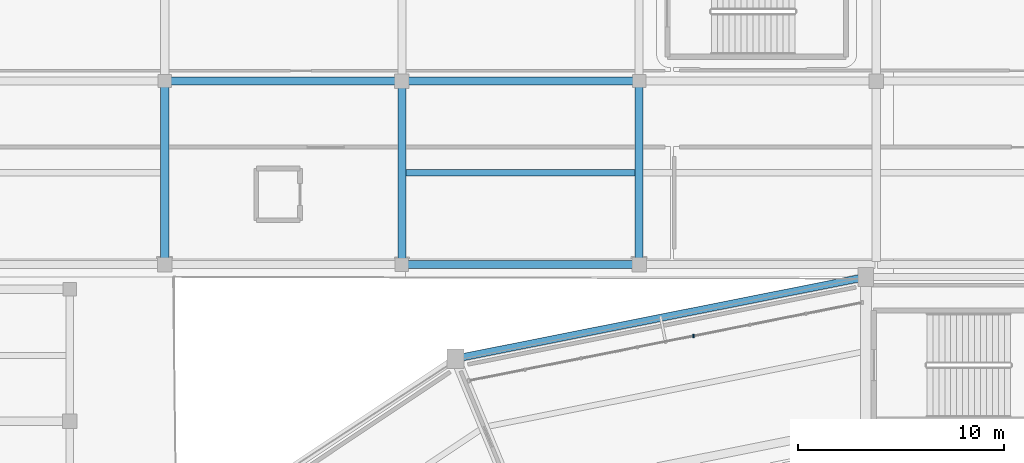
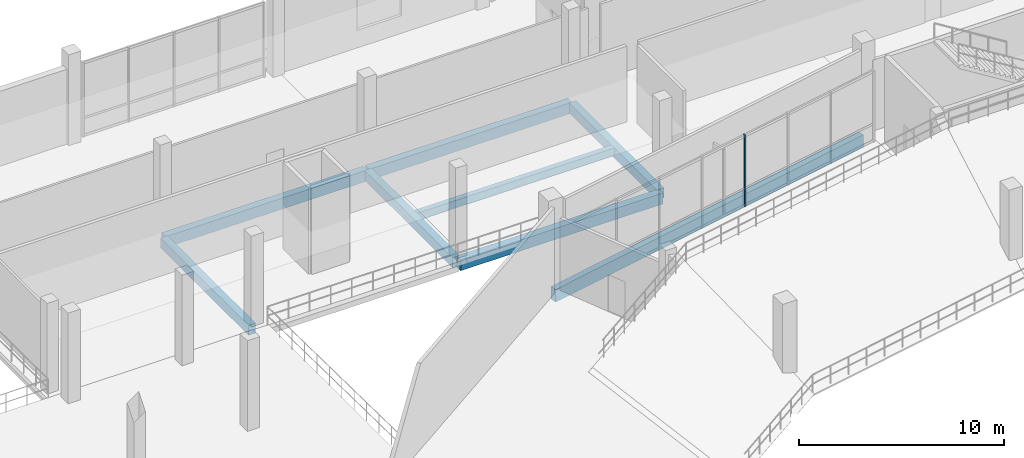
# One storey, part 48 of 127: 8 beams, 1 member, 1 element without a shape of its own.
"""IFC4 building model written with IfcOpenShell, lengths in metres."""

from ifc_helpers import new_model, si_unit, direction, frame, origin, origin_2d, place, context, subcontext, project, spatial, rectangle, extrude, material, material_profile, profile_set, type_object, element, aggregate, save


model = new_model("IFC4")

# Units and contexts
model_context = context("Model", 3, precision=1e-05, world=origin(), true_north=direction((0.0, 1.0)))
body_context = subcontext(model_context, "Body", "Model", "MODEL_VIEW")
ifc_project = project(units=[si_unit("LENGTHUNIT", "METRE"), si_unit("AREAUNIT", "SQUARE_METRE"), si_unit("VOLUMEUNIT", "CUBIC_METRE"), si_unit("PLANEANGLEUNIT", "RADIAN"), si_unit("MASSUNIT", "GRAM", prefix="KILO")], contexts=[model_context])

# Site, building, storey
site_placement = place(None, origin())
site = spatial("IfcSite", under=ifc_project, at=site_placement, CompositionType="ELEMENT")
building_placement = place(site_placement, origin())
building = spatial("IfcBuilding", under=site, at=building_placement, Name="Candeia Ridge Stadium", CompositionType="ELEMENT")
storey_placement = place(building_placement, frame((0.0, 0.0, 10.800048828125)))
storey = spatial("IfcBuildingStorey", under=building, at=storey_placement, Name="L02", CompositionType="ELEMENT", Elevation=10.800048828125)

# Curtain wall, member
ifc_material_1 = material(Name="Aluminium Anodized Warm Bronze", Category="aluminium")
curtain_wall_type = type_object("IfcCurtainWallType", Name="Concourse Recessed Unitised Curtain Wall", PredefinedType="NOTDEFINED", material=ifc_material_1)
curtain_wall_placement = place(storey_placement, origin())
curtain_wall = element("IfcCurtainWall", 1, at=curtain_wall_placement, inside=storey, type_object=curtain_wall_type, Name="Unitised curtain wall CW-BWL-L02-07", PredefinedType="NOTDEFINED")
ifc_material_profile_1 = material_profile(ifc_material_1, rectangle(XDim=0.074951171875, YDim=0.14990234375, at=origin_2d()), Name="CWM-75x150", Category="aluminium")
ifc_profile_set_1 = profile_set([ifc_material_profile_1], Name="Aluminium Anodized Warm Bronze")
member_type = type_object("IfcMemberType", Name="Curtain Wall Secondary Mullion 75x150", PredefinedType="MULLION", material=ifc_profile_set_1)
member_placement = place(storey_placement, frame((62.643310546875, 144.1376953125, 0.0), z_axis=(0.0, 0.0, 1.0), x_axis=(1.0, 0.0, 0.0)))
member = element("IfcMember", 2, at=member_placement, type_object=member_type, Name="Curtain wall mullion CW-BWL-L02-07-M3", PredefinedType="MULLION", context=body_context, shape_type="SweptSolid", body=[
    extrude(rectangle(XDim=0.074951171875, YDim=0.14990234375, at=origin_2d()), origin(), (0.0, 0.0, 1.0), 4.2548828125),
])
aggregate(curtain_wall, [member])

# Beams
ifc_material_2 = material(Name="Concrete C40/50", Category="concrete")
ifc_material_profile_2 = material_profile(ifc_material_2, rectangle(XDim=0.300048828125, YDim=0.449951171875, at=origin_2d()), Name="RC300x450", Category="concrete")
ifc_profile_set_2 = profile_set([ifc_material_profile_2], Name="Concrete C40/50")
beam_type_1 = type_object("IfcBeamType", Name="Floor Joist RC300x450", PredefinedType="JOIST", material=ifc_profile_set_2)
beam_1_placement = place(storey_placement, frame((48.699462890625, 152.050048828125, -0.485107421875), z_axis=(1.0, 0.0, 0.0), x_axis=(0.0, 1.0, 0.0)))
element("IfcBeam", 3, at=beam_1_placement, inside=storey, type_object=beam_type_1, Name="Wing secondary joist BM-L02-1714", PredefinedType="JOIST", context=body_context, shape_type="SweptSolid", body=[
    extrude(rectangle(XDim=0.300048828125, YDim=0.449951171875, at=origin_2d()), origin(), (0.0, 0.0, 1.0), 11.10107421875),
])
ifc_material_profile_3 = material_profile(ifc_material_2, rectangle(XDim=0.39990234375, YDim=0.60009765625, at=origin_2d()), Name="RC400x600", Category="concrete")
ifc_profile_set_3 = profile_set([ifc_material_profile_3], Name="Concrete C40/50")
beam_type_2 = type_object("IfcBeamType", Name="Frame Girder RC400x600", PredefinedType="BEAM", material=ifc_profile_set_3)
for number, where, z_axis, x_axis, name in (
    (4, (37.0, 147.760009765625, -0.56005859375), (0.0, 1.0, 0.0), (-1.0, 0.0, 0.0), "Structural girder BM-L02-1692"),
    (5, (48.5, 147.760009765625, -0.56005859375), (0.0, 1.0, 0.0), (-1.0, 0.0, 0.0), "Structural girder BM-L02-1694"),
    (6, (60.0, 147.760009765625, -0.56005859375), (0.0, 1.0, 0.0), (-1.0, 0.0, 0.0), "Structural girder BM-L02-1696"),
):
    element("IfcBeam", number, at=place(storey_placement, frame(where, z_axis=z_axis, x_axis=x_axis)), inside=storey, type_object=beam_type_2, Name=name, PredefinedType="BEAM", context=body_context, shape_type="SweptSolid", body=[
        extrude(rectangle(XDim=0.39990234375, YDim=0.60009765625, at=origin_2d()), origin(), (0.0, 0.0, 1.0), 8.580078125),
    ])
ifc_material_3 = material(Name="Concrete C45/55", Category="concrete")
ifc_material_profile_4 = material_profile(ifc_material_3, rectangle(XDim=0.35009765625, YDim=0.75, at=origin_2d()), Name="RC350x750", Category="concrete")
ifc_profile_set_4 = profile_set([ifc_material_profile_4], Name="Concrete C45/55")
beam_type_3 = type_object("IfcBeamType", Name="Spandrel Beam RC350x750", PredefinedType="SPANDREL", material=ifc_profile_set_4)
beam_2_placement = place(storey_placement, frame((70.843017578125, 146.96875, -0.635009765625), z_axis=(-0.980786091775, -0.195086242929, 0.0), x_axis=(0.195086242929, -0.980786091775, 0.0)))
element("IfcBeam", 7, at=beam_2_placement, inside=storey, type_object=beam_type_3, Name="Bowl perimeter spandrel BM-L02-0345", PredefinedType="SPANDREL", context=body_context, shape_type="SweptSolid", body=[
    extrude(rectangle(XDim=0.35009765625, YDim=0.75, at=origin_2d()), origin(), (0.0, 0.0, 1.0), 19.969482421875),
])
ifc_material_profile_5 = material_profile(ifc_material_2, rectangle(XDim=0.39990234375, YDim=0.64990234375, at=origin_2d()), Name="RC400x650", Category="concrete")
ifc_profile_set_5 = profile_set([ifc_material_profile_5], Name="Concrete C40/50")
beam_type_4 = type_object("IfcBeamType", Name="Wing Primary Girder RC400x650", PredefinedType="BEAM", material=ifc_profile_set_5)
for number, where, z_axis, x_axis, name in (
    (8, (37.050048828125, 156.5, -0.5849609375), (1.0, 0.0, 0.0), (0.0, 1.0, 0.0), "Structural girder BM-L02-1710"),
    (9, (48.550048828125, 147.60009765625, -0.5849609375), (1.0, 0.0, 0.0), (0.0, 1.0, 0.0), "Structural girder BM-L02-1713"),
    (10, (48.550048828125, 156.5, -0.5849609375), (1.0, 0.0, 0.0), (0.0, 1.0, 0.0), "Structural girder BM-L02-1715"),
):
    element("IfcBeam", number, at=place(storey_placement, frame(where, z_axis=z_axis, x_axis=x_axis)), inside=storey, type_object=beam_type_4, Name=name, PredefinedType="BEAM", context=body_context, shape_type="SweptSolid", body=[
        extrude(rectangle(XDim=0.39990234375, YDim=0.64990234375, at=origin_2d()), origin(), (0.0, 0.0, 1.0), 11.39990234375),
    ])

save(model, "model.ifc")
